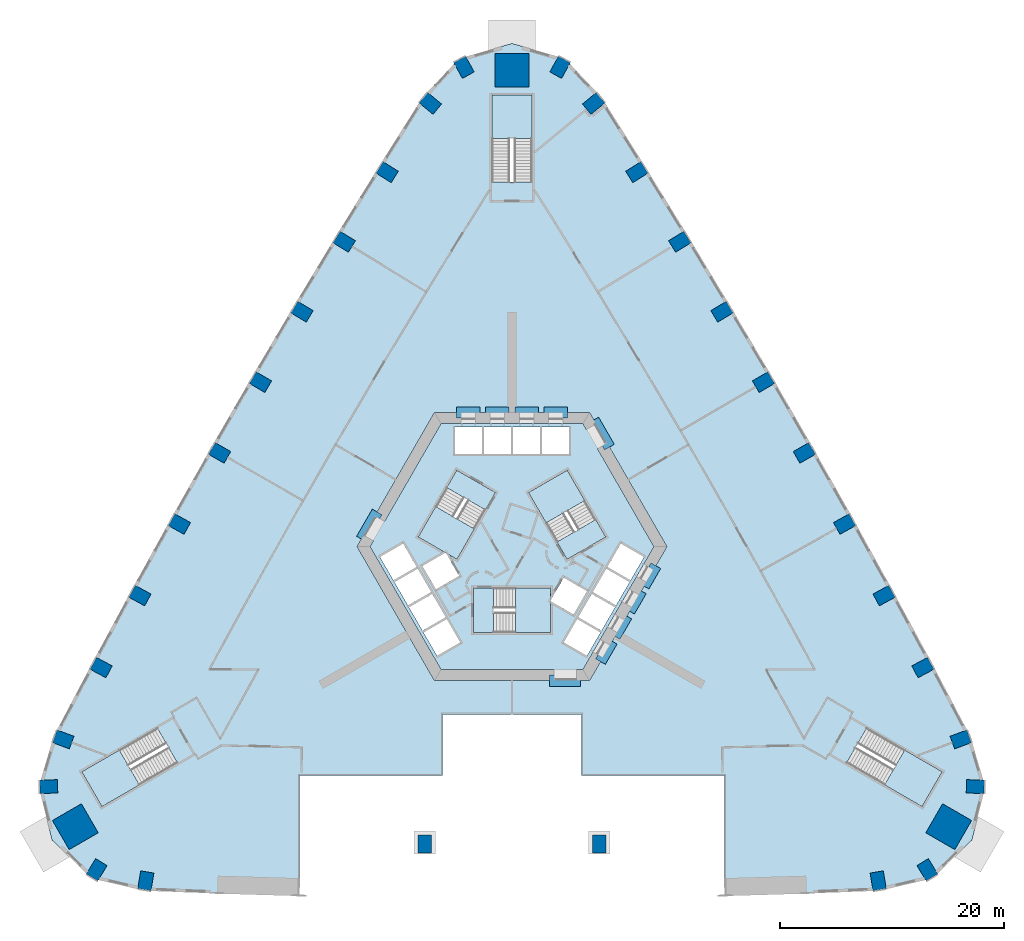
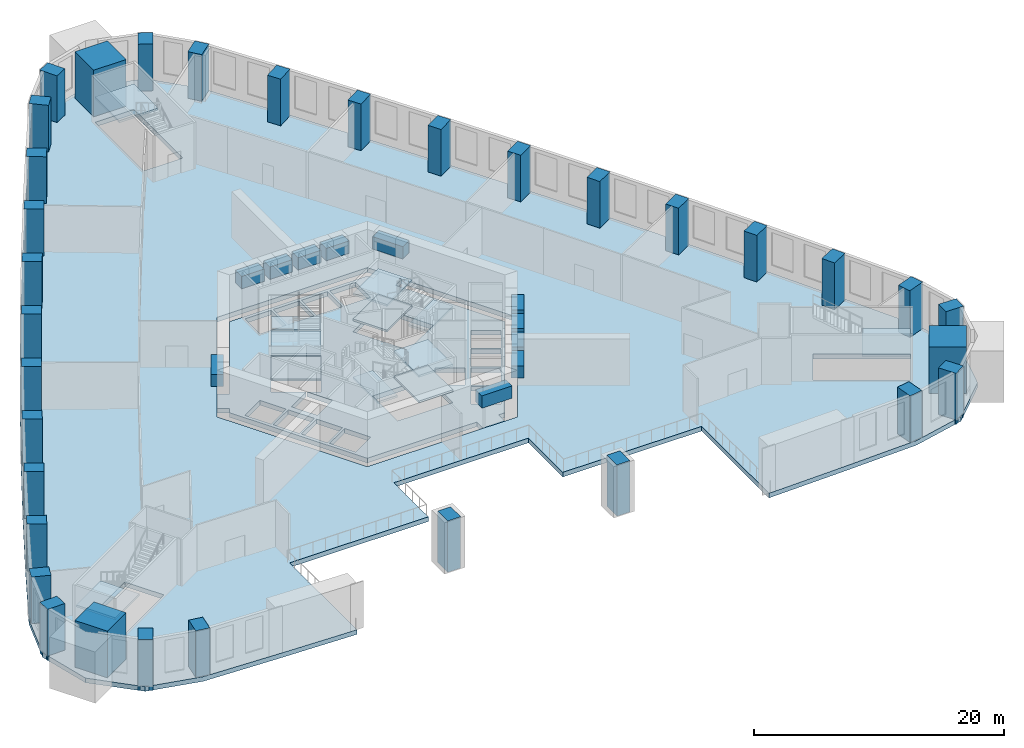
# One storey, part 1 of 16: 33 columns, 14 slabs, 11 beams, 6 elements without a shape of their own.
"""IFC4 building model written with IfcOpenShell, lengths in metres."""

from ifc_helpers import new_model, si_unit, direction, frame, origin, origin_2d, place, context, subcontext, project, spatial, polyline, rectangle, outline, extrude, material, layer, layer_set, material_profile, profile_set, type_object, element, aggregate, save


model = new_model("IFC4")

# Units and contexts
model_context = context("Model", 3, precision=1e-05, world=origin(), true_north=direction((0.0, 1.0)))
body_context = subcontext(model_context, "Body", "Model", "MODEL_VIEW")
ifc_project = project(units=[si_unit("LENGTHUNIT", "METRE"), si_unit("AREAUNIT", "SQUARE_METRE"), si_unit("VOLUMEUNIT", "CUBIC_METRE"), si_unit("PLANEANGLEUNIT", "RADIAN"), si_unit("MASSUNIT", "GRAM", prefix="KILO")], contexts=[model_context])

# Site, building, storey
site_placement = place(None, origin())
site = spatial("IfcSite", under=ifc_project, at=site_placement, CompositionType="ELEMENT")
building_placement = place(site_placement, origin())
building = spatial("IfcBuilding", under=site, at=building_placement, Name="Entoto Arch Interchange Tower", CompositionType="ELEMENT")
storey_placement = place(building_placement, frame((0.0, 0.0, 15.0)))
storey = spatial("IfcBuildingStorey", under=building, at=storey_placement, Name="L02", CompositionType="ELEMENT", Elevation=15.0)

# Columns
ifc_material_1 = material(Name="Concrete C60/75", Category="concrete")
ifc_material_profile_1 = material_profile(ifc_material_1, rectangle(XDim=1.199951171875, YDim=1.60009765625, at=origin_2d()))
ifc_profile_set_1 = profile_set([ifc_material_profile_1], Name="Concrete C60/75")
column_type_1 = type_object("IfcColumnType", Name="Column RC 1200x1600 C60/75", PredefinedType="COLUMN", material=ifc_profile_set_1)
for number, where, z_axis, x_axis, name in (
    (1, (-32.760986328125, -27.39697265625, -0.449951171875), (0.0, 0.0, 1.0), (-0.98600476771, 0.166717119856, 0.0), "Column S01 L02"),
    (2, (32.760986328125, -27.39697265625, -0.449951171875), (0.0, 0.0, 1.0), (0.98600476771, 0.166717119856, 0.0), "Column S06 L02"),
    (3, (37.152099609375, -26.410888671875, -0.449951171875), (0.0, 0.0, 1.0), (0.854522294989, 0.519414716163, 0.0), "Column SE1 L02"),
    (4, (41.447998046875, -18.968994140625, -0.449951171875), (0.0, 0.0, 1.0), (0.022565191802, 0.999745373642, 0.0), "Column SE3 L02"),
    (5, (40.14697265625, -14.7509765625, -0.449951171875), (0.0, 0.0, 1.0), (-0.348277574304, 0.937391450375, 0.0), "Column NE01 L02"),
    (6, (36.7529296875, -8.324951171875, -0.449951171875), (0.0, 0.0, 1.0), (-0.46931745221, 0.883029517656, 0.0), "Column NE02 L02"),
    (7, (33.282958984375, -1.888916015625, -0.449951171875), (0.0, 0.0, 1.0), (-0.478140110514, 0.878283573066, 0.0), "Column NE03 L02"),
    (8, (29.75, 4.511962890625, -0.449951171875), (0.0, 0.0, 1.0), (-0.486914781103, 0.873449481048, 0.0), "Column NE04 L02"),
    (9, (26.155029296875, 10.8798828125, -0.449951171875), (0.0, 0.0, 1.0), (-0.495655741916, 0.868519076074, 0.0), "Column NE05 L02"),
    (10, (22.5, 17.2109375, -0.449951171875), (0.0, 0.0, 1.0), (-0.504331712594, 0.863510002068, 0.0), "Column NE06 L02"),
    (11, (18.781982421875, 23.508056640625, -0.449951171875), (0.0, 0.0, 1.0), (-0.512972048958, 0.858405310438, 0.0), "Column NE07 L02"),
    (12, (15.0048828125, 29.76904296875, -0.449951171875), (0.0, 0.0, 1.0), (-0.521545830745, 0.853223268806, 0.0), "Column NE08 L02"),
    (13, (11.1669921875, 35.992919921875, -0.449951171875), (0.0, 0.0, 1.0), (-0.530067268476, 0.847955594881, 0.0), "Column NE09 L02"),
    (14, (7.299072265625, 42.14404296875, -0.449951171875), (0.0, 0.0, 1.0), (-0.637666022163, 0.770312952103, 0.0), "Column NE10 L02"),
    (15, (4.297119140625, 45.3798828125, -0.449951171875), (0.0, 0.0, 1.0), (-0.877079103306, 0.48034596547, 0.0), "Column N1 L02"),
    (16, (-4.297119140625, 45.3798828125, -0.449951171875), (0.0, 0.0, 1.0), (0.877079103306, 0.48034596547, 0.0), "Column N3 L02"),
    (17, (-7.299072265625, 42.14404296875, -0.449951171875), (0.0, 0.0, 1.0), (0.637666022163, 0.770312952103, 0.0), "Column NW01 L02"),
    (18, (-11.1669921875, 35.992919921875, -0.449951171875), (0.0, 0.0, 1.0), (0.530067268476, 0.847955594881, 0.0), "Column NW02 L02"),
    (19, (-15.0048828125, 29.76904296875, -0.449951171875), (0.0, 0.0, 1.0), (0.521545830745, 0.853223268806, 0.0), "Column NW03 L02"),
    (20, (-18.781982421875, 23.508056640625, -0.449951171875), (0.0, 0.0, 1.0), (0.512972048958, 0.858405310438, 0.0), "Column NW04 L02"),
    (21, (-22.5, 17.2109375, -0.449951171875), (0.0, 0.0, 1.0), (0.504331712594, 0.863510002068, 0.0), "Column NW05 L02"),
    (22, (-26.155029296875, 10.8798828125, -0.449951171875), (0.0, 0.0, 1.0), (0.495655741916, 0.868519076074, 0.0), "Column NW06 L02"),
    (23, (-29.75, 4.511962890625, -0.449951171875), (0.0, 0.0, 1.0), (0.486914781103, 0.873449481048, 0.0), "Column NW07 L02"),
    (24, (-33.282958984375, -1.888916015625, -0.449951171875), (0.0, 0.0, 1.0), (0.478140110514, 0.878283573066, 0.0), "Column NW08 L02"),
    (25, (-36.7529296875, -8.324951171875, -0.449951171875), (0.0, 0.0, 1.0), (0.46931745221, 0.883029517656, 0.0), "Column NW09 L02"),
    (26, (-40.14697265625, -14.7509765625, -0.449951171875), (0.0, 0.0, 1.0), (0.348277574304, 0.937391450375, 0.0), "Column NW10 L02"),
    (27, (-41.447998046875, -18.968994140625, -0.449951171875), (0.0, 0.0, 1.0), (-0.022565191802, 0.999745373642, 0.0), "Column SW1 L02"),
    (28, (-37.152099609375, -26.410888671875, -0.449951171875), (0.0, 0.0, 1.0), (-0.854522294989, 0.519414716163, 0.0), "Column SW3 L02"),
    (29, (-7.800048828125, -24.10009765625, -0.449951171875), (0.0, 0.0, 1.0), (1.0, 0.0, 0.0), "Column ARC-W L02"),
    (30, (7.800048828125, -24.10009765625, -0.449951171875), (0.0, 0.0, 1.0), (1.0, 0.0, 0.0), "Column ARC-E L02"),
):
    element("IfcColumn", number, at=place(storey_placement, frame(where, z_axis=z_axis, x_axis=x_axis)), inside=storey, type_object=column_type_1, Name=name, PredefinedType="COLUMN", context=body_context, shape_type="SweptSolid", body=[
        extrude(rectangle(XDim=1.199951171875, YDim=1.60009765625, at=origin_2d()), origin(), (0.0, 0.0, 1.0), 5.0),
    ])
ifc_material_profile_2 = material_profile(ifc_material_1, rectangle(XDim=3.0, YDim=3.0, at=origin_2d()))
ifc_profile_set_2 = profile_set([ifc_material_profile_2], Name="Concrete C60/75")
column_type_2 = type_object("IfcColumnType", Name="Mega column RC 3000x3000 C60/75", PredefinedType="COLUMN", material=ifc_profile_set_2)
for number, where, z_axis, x_axis, name in (
    (31, (39.069091796875, -22.555908203125, -0.449951171875), (0.0, 0.0, 1.0), (-0.866025403784, 0.5, 0.0), "Corner mega column SE2 L02"),
    (32, (0.0, 45.112060546875, -0.449951171875), (0.0, 0.0, 1.0), (0.0, 1.0, 0.0), "Corner mega column N2 L02"),
    (33, (-39.069091796875, -22.555908203125, -0.449951171875), (0.0, 0.0, 1.0), (0.866025403784, 0.5, 0.0), "Corner mega column SW2 L02"),
):
    element("IfcColumn", number, at=place(storey_placement, frame(where, z_axis=z_axis, x_axis=x_axis)), inside=storey, type_object=column_type_2, Name=name, PredefinedType="COLUMN", context=body_context, shape_type="SweptSolid", body=[
        extrude(rectangle(XDim=3.0, YDim=3.0, at=origin_2d()), origin(), (0.0, 0.0, 1.0), 5.0),
    ])

# Beams
ifc_material_profile_3 = material_profile(ifc_material_1, rectangle(XDim=1.0, YDim=1.199951171875, at=origin_2d()))
ifc_profile_set_3 = profile_set([ifc_material_profile_3], Name="Concrete C60/75")
beam_type = type_object("IfcBeamType", Name="Coupling beam RC 1000x1200 C60/75", PredefinedType="BEAM", material=ifc_profile_set_3)
beam_1_placement = place(storey_placement, frame((8.717041015625, 11.402099609375, 3.0), z_axis=(-0.500200581029, 0.865909567298, 0.0), x_axis=(-0.865909567298, -0.500200581029, 0.0)))
element("IfcBeam", 34, at=beam_1_placement, inside=storey, type_object=beam_type, Name="Coupling beam NE L02", PredefinedType="BEAM", context=body_context, shape_type="SweptSolid", body=[
    extrude(rectangle(XDim=1.0, YDim=1.199951171875, at=origin_2d()), origin(), (0.0, 0.0, 1.0), 2.799072265625),
])
beam_2_placement = place(storey_placement, frame((4.949951171875, 14.5, 3.0), z_axis=(-1.0, 0.0, 0.0), x_axis=(0.0, -1.0, 0.0)))
element("IfcBeam", 35, at=beam_2_placement, inside=storey, type_object=beam_type, Name="Coupling beam N L02", PredefinedType="BEAM", context=body_context, shape_type="SweptSolid", body=[
    extrude(rectangle(XDim=1.0, YDim=1.199951171875, at=origin_2d()), origin(), (0.0, 0.0, 1.0), 2.099853515625),
])
for number, where, z_axis, x_axis, name in (
    (36, (2.35009765625, 14.5, 3.0), (-1.0, 0.0, 0.0), (0.0, -1.0, 0.0), "Coupling beam N L02"),
    (37, (-0.25, 14.5, 3.0), (-1.0, 0.0, 0.0), (0.0, -1.0, 0.0), "Coupling beam N L02"),
):
    element("IfcBeam", number, at=place(storey_placement, frame(where, z_axis=z_axis, x_axis=x_axis)), inside=storey, type_object=beam_type, Name=name, PredefinedType="BEAM", context=body_context, shape_type="SweptSolid", body=[
        extrude(rectangle(XDim=1.0, YDim=1.199951171875, at=origin_2d()), origin(), (0.0, 0.0, 1.0), 2.10009765625),
    ])
beam_3_placement = place(storey_placement, frame((-2.85009765625, 14.5, 3.0), z_axis=(-1.0, 0.0, 0.0), x_axis=(0.0, -1.0, 0.0)))
element("IfcBeam", 38, at=beam_3_placement, inside=storey, type_object=beam_type, Name="Coupling beam N L02", PredefinedType="BEAM", context=body_context, shape_type="SweptSolid", body=[
    extrude(rectangle(XDim=1.0, YDim=1.199951171875, at=origin_2d()), origin(), (0.0, 0.0, 1.0), 2.099853515625),
])
beam_4_placement = place(storey_placement, frame((-12.06689453125, 5.597900390625, 3.0), z_axis=(-0.500200581029, -0.865909567298, 0.0), x_axis=(0.865909567298, -0.500200581029, 0.0)))
element("IfcBeam", 39, at=beam_4_placement, inside=storey, type_object=beam_type, Name="Coupling beam NW L02", PredefinedType="BEAM", context=body_context, shape_type="SweptSolid", body=[
    extrude(rectangle(XDim=1.0, YDim=1.199951171875, at=origin_2d()), origin(), (0.0, 0.0, 1.0), 2.799072265625),
])
beam_5_placement = place(storey_placement, frame((3.35009765625, -9.5, 3.0), z_axis=(1.0, 0.0, 0.0), x_axis=(0.0, 1.0, 0.0)))
element("IfcBeam", 40, at=beam_5_placement, inside=storey, type_object=beam_type, Name="Coupling beam S L02", PredefinedType="BEAM", context=body_context, shape_type="SweptSolid", body=[
    extrude(rectangle(XDim=1.0, YDim=1.199951171875, at=origin_2d()), origin(), (0.0, 0.0, 1.0), 2.7998046875),
])
for number, where, z_axis, x_axis, name in (
    (41, (7.9169921875, -7.785888671875, 3.0), (0.500178781653, 0.865922159541, 0.0), (-0.865922159541, 0.500178781653, 0.0), "Coupling beam SE L02"),
    (42, (9.217041015625, -5.534912109375, 3.0), (0.500178781653, 0.865922159541, 0.0), (-0.865922159541, 0.500178781653, 0.0), "Coupling beam SE L02"),
):
    element("IfcBeam", number, at=place(storey_placement, frame(where, z_axis=z_axis, x_axis=x_axis)), inside=storey, type_object=beam_type, Name=name, PredefinedType="BEAM", context=body_context, shape_type="SweptSolid", body=[
        extrude(rectangle(XDim=1.0, YDim=1.199951171875, at=origin_2d()), origin(), (0.0, 0.0, 1.0), 2.099365234375),
    ])
beam_6_placement = place(storey_placement, frame((10.51708984375, -3.282958984375, 3.0), z_axis=(0.500091574638, 0.865972526687, 0.0), x_axis=(-0.865972526687, 0.500091574638, 0.0)))
element("IfcBeam", 43, at=beam_6_placement, inside=storey, type_object=beam_type, Name="Coupling beam SE L02", PredefinedType="BEAM", context=body_context, shape_type="SweptSolid", body=[
    extrude(rectangle(XDim=1.0, YDim=1.199951171875, at=origin_2d()), origin(), (0.0, 0.0, 1.0), 2.09912109375),
])
beam_7_placement = place(storey_placement, frame((11.81689453125, -1.031982421875, 3.0), z_axis=(0.500178781653, 0.865922159541, 0.0), x_axis=(-0.865922159541, 0.500178781653, 0.0)))
element("IfcBeam", 44, at=beam_7_placement, inside=storey, type_object=beam_type, Name="Coupling beam SE L02", PredefinedType="BEAM", context=body_context, shape_type="SweptSolid", body=[
    extrude(rectangle(XDim=1.0, YDim=1.199951171875, at=origin_2d()), origin(), (0.0, 0.0, 1.0), 2.099365234375),
])

# Slab
ifc_material_2 = material(Name="Concrete C40/50", Category="concrete")
ifc_layer_1 = layer(ifc_material_2, 0.449951171875)
ifc_layer_set_1 = layer_set([ifc_layer_1], Name="Concrete C40/50")
slab_type_1 = type_object("IfcSlabType", Name="Core floor slab 450 C40/50", PredefinedType="FLOOR", material=ifc_layer_set_1)
slab_1_placement = place(storey_placement, frame((0.0, 0.0, -0.449951171875)))
element("IfcSlab", 45, at=slab_1_placement, inside=storey, type_object=slab_type_1, Name="Core floor slab L02", PredefinedType="FLOOR", context=body_context, shape_type="SweptSolid", body=[
    extrude(outline(polyline([(5.75, -9.5), (3.75, -9.5), (3.75, -8.5), (-6.35107421875, -8.5), (-12.701904296875, 2.5), (-12.402099609375, 3.02001953125), (-13.26708984375, 3.52001953125), (-12.26708984375, 5.251953125), (-11.402099609375, 4.751953125), (-6.35107421875, 13.5), (6.35107421875, 13.5), (6.65087890625, 12.97998046875), (7.51708984375, 13.47998046875), (8.51708984375, 11.748046875), (7.65087890625, 11.248046875), (12.701904296875, 2.5), (6.35107421875, -8.5), (5.75, -8.5), (5.75, -9.5)]), holes=[polyline([(-4.637939453125, -6.06689453125), (-5.837890625, -3.988037109375), (-7.916015625, -5.18798828125), (-6.716064453125, -7.26708984375), (-4.637939453125, -6.06689453125)]), polyline([(-5.93798828125, -3.81494140625), (-7.137939453125, -1.737060546875), (-9.216064453125, -2.93701171875), (-8.01611328125, -5.014892578125), (-5.93798828125, -3.81494140625)]), polyline([(5.5048828125, -3.56494140625), (6.705078125, -1.487060546875), (4.626953125, -0.287109375), (3.449951171875, -2.324951171875), (3.449951171875, -1.199951171875), (-1.64990234375, -1.199951171875), (-1.64990234375, -5.199951171875), (3.449951171875, -5.199951171875), (3.449951171875, -2.3779296875), (5.5048828125, -3.56494140625)]), polyline([(-7.238037109375, -1.56298828125), (-8.43798828125, 0.514892578125), (-10.51611328125, -0.68505859375), (-9.31591796875, -2.762939453125), (-7.238037109375, -1.56298828125)]), polyline([(-4.72705078125, -0.113037109375), (-5.904052734375, 1.925048828125), (-4.928955078125, 1.362060546875), (-2.37890625, 5.779052734375), (-5.843017578125, 7.779052734375), (-8.39306640625, 3.362060546875), (-5.949951171875, 1.951904296875), (-8.0048828125, 0.764892578125), (-6.804931640625, -1.31298828125), (-4.72705078125, -0.113037109375)]), polyline([(-8.5380859375, 0.68798828125), (-9.738037109375, 2.76708984375), (-11.81591796875, 1.56689453125), (-10.615966796875, -0.511962890625), (-8.5380859375, 0.68798828125)]), polyline([(-5.10009765625, 10.800048828125), (-2.699951171875, 10.800048828125), (-2.699951171875, 13.199951171875), (-5.10009765625, 13.199951171875), (-5.10009765625, 10.800048828125)]), polyline([(-2.5, 10.800048828125), (-0.10009765625, 10.800048828125), (-0.10009765625, 13.199951171875), (-2.5, 13.199951171875), (-2.5, 10.800048828125)]), polyline([(5.837890625, -3.988037109375), (4.637939453125, -6.06689453125), (6.716064453125, -7.26708984375), (7.916015625, -5.18798828125), (5.837890625, -3.988037109375)]), polyline([(7.137939453125, -1.737060546875), (5.93798828125, -3.81494140625), (8.01611328125, -5.014892578125), (9.216064453125, -2.93701171875), (7.137939453125, -1.737060546875)]), polyline([(8.43798828125, 0.514892578125), (7.238037109375, -1.56298828125), (9.31591796875, -2.762939453125), (10.51611328125, -0.68505859375), (8.43798828125, 0.514892578125)]), polyline([(9.738037109375, 2.76708984375), (8.5380859375, 0.68798828125), (10.615966796875, -0.511962890625), (11.81591796875, 1.56689453125), (9.738037109375, 2.76708984375)]), polyline([(4.029052734375, 2.9208984375), (7.492919921875, 4.9208984375), (4.943115234375, 9.337890625), (1.47900390625, 7.337890625), (4.029052734375, 2.9208984375)]), polyline([(0.10009765625, 13.199951171875), (0.10009765625, 10.800048828125), (2.5, 10.800048828125), (2.5, 13.199951171875), (0.10009765625, 13.199951171875)]), polyline([(2.699951171875, 13.199951171875), (2.699951171875, 10.800048828125), (5.10009765625, 10.800048828125), (5.10009765625, 13.199951171875), (2.699951171875, 13.199951171875)])]), origin(), (0.0, 0.0, 1.0), 0.449951171875),
])

# Stair, slabs
stair_type_1 = type_object("IfcStairType", Name="EXIT STAIR RC 1800", PredefinedType="HALF_TURN_STAIR", material=ifc_material_2)
stair_1_placement = place(storey_placement, origin())
stair_1 = element("IfcStair", 46, at=stair_1_placement, inside=storey, type_object=stair_type_1, Name="L02 Exit stair S", PredefinedType="HALF_TURN_STAIR")
ifc_layer_2 = layer(ifc_material_2, 0.199951171875)
ifc_layer_set_2 = layer_set([ifc_layer_2], Name="Concrete C40/50")
slab_type_2 = type_object("IfcSlabType", Name="EXIT STAIR LANDING RC 200", PredefinedType="LANDING", material=ifc_layer_set_2)
slab_2_placement = place(storey_placement, frame((0.0, 0.0, 1.050048828125)))
slab_2 = element("IfcSlab", 47, at=slab_2_placement, type_object=slab_type_2, Name="ST-S landing 1", PredefinedType="LANDING", context=body_context, shape_type="SweptSolid", body=[
    extrude(outline(polyline([(0.31005859375, -5.199951171875), (3.449951171875, -5.199951171875), (3.449951171875, -1.199951171875), (0.31005859375, -1.199951171875), (0.31005859375, -5.199951171875)])), origin(), (0.0, 0.0, 1.0), 0.199951171875),
])
slab_3_placement = place(storey_placement, frame((0.0, 0.0, 2.300048828125)))
slab_3 = element("IfcSlab", 48, at=slab_3_placement, type_object=slab_type_2, Name="ST-S landing 2", PredefinedType="LANDING", context=body_context, shape_type="SweptSolid", body=[
    extrude(outline(polyline([(-3.449951171875, -5.199951171875), (-1.64990234375, -5.199951171875), (-1.64990234375, -1.199951171875), (-3.449951171875, -1.199951171875), (-3.449951171875, -5.199951171875)])), origin(), (0.0, 0.0, 1.0), 0.199951171875),
])
slab_4_placement = place(storey_placement, frame((0.0, 0.0, 3.550048828125)))
slab_4 = element("IfcSlab", 49, at=slab_4_placement, type_object=slab_type_2, Name="ST-S landing 3", PredefinedType="LANDING", context=body_context, shape_type="SweptSolid", body=[
    extrude(outline(polyline([(0.31005859375, -5.199951171875), (3.449951171875, -5.199951171875), (3.449951171875, -1.199951171875), (0.31005859375, -1.199951171875), (0.31005859375, -5.199951171875)])), origin(), (0.0, 0.0, 1.0), 0.199951171875),
])
aggregate(stair_1, [slab_2, slab_3, slab_4])

stair_2_placement = place(storey_placement, origin())
stair_2 = element("IfcStair", 50, at=stair_2_placement, inside=storey, type_object=stair_type_1, Name="L02 Exit stair NE", PredefinedType="HALF_TURN_STAIR")
slab_5_placement = place(storey_placement, frame((0.0, 0.0, 1.050048828125)))
slab_5 = element("IfcSlab", 51, at=slab_5_placement, type_object=slab_type_2, Name="ST-NE landing 1", PredefinedType="LANDING", context=body_context, shape_type="SweptSolid", body=[
    extrude(outline(polyline([(6.513427734375, 6.618408203125), (4.943359375, 9.337890625), (1.479248046875, 7.337890625), (3.04931640625, 4.618408203125), (6.513427734375, 6.618408203125)])), origin(), (0.0, 0.0, 1.0), 0.199951171875),
])
slab_6_placement = place(storey_placement, frame((0.0, 0.0, 2.300048828125)))
slab_6 = element("IfcSlab", 52, at=slab_6_placement, type_object=slab_type_2, Name="ST-NE landing 2", PredefinedType="LANDING", context=body_context, shape_type="SweptSolid", body=[
    extrude(outline(polyline([(8.393310546875, 3.3623046875), (7.493408203125, 4.921142578125), (4.029296875, 2.921142578125), (4.92919921875, 1.3623046875), (8.393310546875, 3.3623046875)])), origin(), (0.0, 0.0, 1.0), 0.199951171875),
])
slab_7_placement = place(storey_placement, frame((0.0, 0.0, 3.550048828125)))
slab_7 = element("IfcSlab", 53, at=slab_7_placement, type_object=slab_type_2, Name="ST-NE landing 3", PredefinedType="LANDING", context=body_context, shape_type="SweptSolid", body=[
    extrude(outline(polyline([(6.513427734375, 6.618408203125), (4.943359375, 9.337890625), (1.479248046875, 7.337890625), (3.04931640625, 4.618408203125), (6.513427734375, 6.618408203125)])), origin(), (0.0, 0.0, 1.0), 0.199951171875),
])
aggregate(stair_2, [slab_5, slab_6, slab_7])

stair_3_placement = place(storey_placement, origin())
stair_3 = element("IfcStair", 54, at=stair_3_placement, inside=storey, type_object=stair_type_1, Name="L02 Exit stair NW", PredefinedType="HALF_TURN_STAIR")
slab_8_placement = place(storey_placement, frame((0.0, 0.0, 1.050048828125)))
slab_8 = element("IfcSlab", 55, at=slab_8_placement, type_object=slab_type_2, Name="ST-NW landing 1", PredefinedType="LANDING", context=body_context, shape_type="SweptSolid", body=[
    extrude(outline(polyline([(-6.823486328125, 6.08154296875), (-8.393310546875, 3.3623046875), (-4.92919921875, 1.3623046875), (-3.359375, 4.08154296875), (-6.823486328125, 6.08154296875)])), origin(), (0.0, 0.0, 1.0), 0.199951171875),
])
slab_9_placement = place(storey_placement, frame((0.0, 0.0, 2.300048828125)))
slab_9 = element("IfcSlab", 56, at=slab_9_placement, type_object=slab_type_2, Name="ST-NW landing 2", PredefinedType="LANDING", context=body_context, shape_type="SweptSolid", body=[
    extrude(outline(polyline([(-4.943359375, 9.337890625), (-5.843505859375, 7.779052734375), (-2.37939453125, 5.779052734375), (-1.479248046875, 7.337890625), (-4.943359375, 9.337890625)])), origin(), (0.0, 0.0, 1.0), 0.199951171875),
])
slab_10_placement = place(storey_placement, frame((0.0, 0.0, 3.550048828125)))
slab_10 = element("IfcSlab", 57, at=slab_10_placement, type_object=slab_type_2, Name="ST-NW landing 3", PredefinedType="LANDING", context=body_context, shape_type="SweptSolid", body=[
    extrude(outline(polyline([(-6.823486328125, 6.08154296875), (-8.393310546875, 3.3623046875), (-4.92919921875, 1.3623046875), (-3.359375, 4.08154296875), (-6.823486328125, 6.08154296875)])), origin(), (0.0, 0.0, 1.0), 0.199951171875),
])
aggregate(stair_3, [slab_8, slab_9, slab_10])

# Stair, slab
stair_type_2 = type_object("IfcStairType", Name="PODIUM EXIT STAIR RC 1600", PredefinedType="HALF_TURN_STAIR", material=ifc_material_2)
stair_4_placement = place(storey_placement, origin())
stair_4 = element("IfcStair", 58, at=stair_4_placement, inside=storey, type_object=stair_type_2, Name="L02 Podium exit stair north", PredefinedType="HALF_TURN_STAIR")
slab_11_placement = place(storey_placement, frame((0.0, 0.0, 2.300048828125)))
slab_11 = element("IfcSlab", 59, at=slab_11_placement, type_object=slab_type_2, Name="PST-N landing 1", PredefinedType="LANDING", context=body_context, shape_type="SweptSolid", body=[
    extrude(outline(polyline([(1.800048828125, 39.02001953125), (1.800048828125, 42.89990234375), (-1.800048828125, 42.89990234375), (-1.800048828125, 39.02001953125), (1.800048828125, 39.02001953125)])), origin(), (0.0, 0.0, 1.0), 0.199951171875),
])
aggregate(stair_4, [slab_11])

stair_5_placement = place(storey_placement, origin())
stair_5 = element("IfcStair", 60, at=stair_5_placement, inside=storey, type_object=stair_type_2, Name="L02 Podium exit stair south-west", PredefinedType="HALF_TURN_STAIR")
slab_12_placement = place(storey_placement, frame((0.0, 0.0, 2.300048828125)))
slab_12 = element("IfcSlab", 61, at=slab_12_placement, type_object=slab_type_2, Name="PST-SW landing 1", PredefinedType="LANDING", context=body_context, shape_type="SweptSolid", body=[
    extrude(outline(polyline([(-35.125244140625, -15.701171875), (-38.485595703125, -17.64111328125), (-36.685546875, -20.7587890625), (-33.325439453125, -18.81884765625), (-35.125244140625, -15.701171875)])), origin(), (0.0, 0.0, 1.0), 0.199951171875),
])
aggregate(stair_5, [slab_12])

stair_6_placement = place(storey_placement, origin())
stair_6 = element("IfcStair", 62, at=stair_6_placement, inside=storey, type_object=stair_type_2, Name="L02 Podium exit stair south-east", PredefinedType="HALF_TURN_STAIR")
slab_13_placement = place(storey_placement, frame((0.0, 0.0, 2.300048828125)))
slab_13 = element("IfcSlab", 63, at=slab_13_placement, type_object=slab_type_2, Name="PST-SE landing 1", PredefinedType="LANDING", context=body_context, shape_type="SweptSolid", body=[
    extrude(outline(polyline([(33.325439453125, -18.81884765625), (36.685546875, -20.7587890625), (38.485595703125, -17.64111328125), (35.125244140625, -15.701171875), (33.325439453125, -18.81884765625)])), origin(), (0.0, 0.0, 1.0), 0.199951171875),
])
aggregate(stair_6, [slab_13])

# Slab
ifc_layer_3 = layer(ifc_material_2, 0.449951171875)
ifc_layer_set_3 = layer_set([ifc_layer_3], Name="Concrete C40/50")
slab_type_3 = type_object("IfcSlabType", Name="Post-tensioned flat plate 450 C40/50", PredefinedType="FLOOR", material=ifc_layer_set_3)
slab_14_placement = place(storey_placement, frame((0.0, 0.0, -0.449951171875)))
element("IfcSlab", 64, at=slab_14_placement, inside=storey, type_object=slab_type_3, Name="Floor slab L02", PredefinedType="FLOOR", context=body_context, shape_type="SweptSolid", body=[
    extrude(outline(polyline([(-26.376953125, -28.5400390625), (-19.0, -28.761962890625), (-19.0, -18.0), (-6.199951171875, -18.0), (-6.199951171875, -12.5), (6.199951171875, -12.5), (6.199951171875, -18.0), (19.0, -18.0), (19.0, -28.761962890625), (26.376953125, -28.5400390625), (32.910888671875, -28.283935546875), (37.618896484375, -27.179931640625), (41.14697265625, -23.756103515625), (42.347900390625, -18.989013671875), (40.990966796875, -14.43798828125), (37.548095703125, -7.903076171875), (34.072998046875, -1.458984375), (30.535888671875, 4.949951171875), (26.93701171875, 11.325927734375), (23.277099609375, 17.6650390625), (19.554931640625, 23.969970703125), (15.77294921875, 30.238037109375), (11.929931640625, 36.469970703125), (7.991943359375, 42.718017578125), (4.72900390625, 46.1689453125), (0.0, 47.511962890625), (-4.72900390625, 46.1689453125), (-7.991943359375, 42.718017578125), (-11.929931640625, 36.469970703125), (-15.77294921875, 30.238037109375), (-19.554931640625, 23.969970703125), (-23.277099609375, 17.6650390625), (-26.93701171875, 11.325927734375), (-30.535888671875, 4.949951171875), (-34.072998046875, -1.458984375), (-37.548095703125, -7.903076171875), (-40.990966796875, -14.43798828125), (-42.347900390625, -18.989013671875), (-41.14697265625, -23.756103515625), (-37.618896484375, -27.179931640625), (-32.910888671875, -28.283935546875), (-26.376953125, -28.5400390625)]), holes=[polyline([(-29.930908203125, -16.85888671875), (-31.73095703125, -13.740966796875), (-38.486083984375, -17.64111328125), (-36.68603515625, -20.759033203125), (-29.930908203125, -16.85888671875)]), polyline([(31.73095703125, -13.740966796875), (29.930908203125, -16.85888671875), (36.68603515625, -20.759033203125), (38.486083984375, -17.64111328125), (31.73095703125, -13.740966796875)]), polyline([(-6.927978515625, -9.5), (6.927978515625, -9.5), (13.85595703125, 2.5), (6.927978515625, 14.5), (-6.927978515625, 14.5), (-13.85595703125, 2.5), (-6.927978515625, -9.5)]), polyline([(-1.800048828125, 42.89990234375), (-1.800048828125, 35.10009765625), (1.800048828125, 35.10009765625), (1.800048828125, 42.89990234375), (-1.800048828125, 42.89990234375)])]), origin(), (0.0, 0.0, 1.0), 0.449951171875),
])

save(model, "model.ifc")
